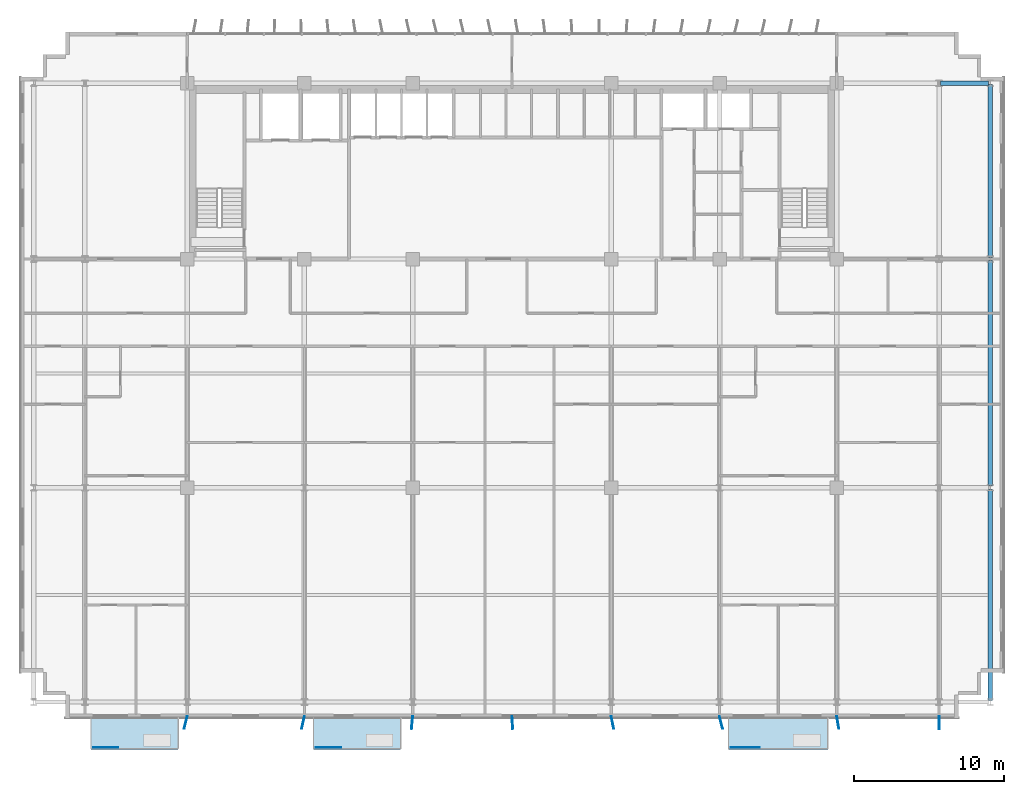
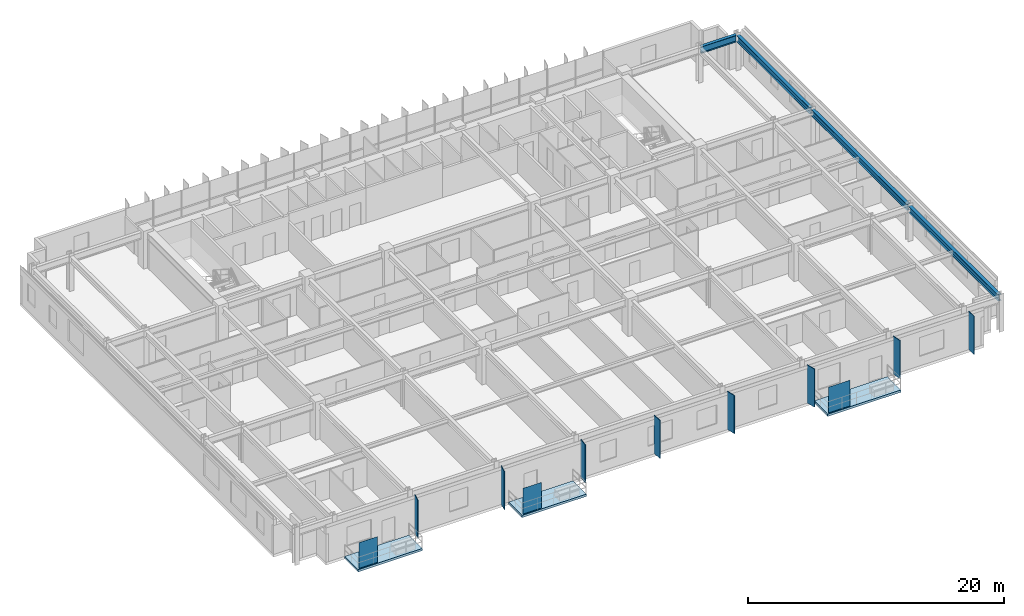
# One storey, part 13 of 22: 11 plates, 4 beams, 3 slabs.
"""IFC4 building model written with IfcOpenShell, lengths in metres."""

from ifc_helpers import new_model, si_unit, direction, frame, origin, origin_2d, place, context, subcontext, project, spatial, polyline, rectangle, i_section, outline, extrude, source, transform, mapped, material, layer, layer_set, material_profile, profile_set, type_object, element, save


model = new_model("IFC4")

# Units and contexts
model_context = context("Model", 3, precision=1e-05, world=origin(), true_north=direction((0.0, 1.0)))
body_context = subcontext(model_context, "Body", "Model", "MODEL_VIEW")
ifc_project = project(units=[si_unit("LENGTHUNIT", "METRE"), si_unit("AREAUNIT", "SQUARE_METRE"), si_unit("VOLUMEUNIT", "CUBIC_METRE"), si_unit("PLANEANGLEUNIT", "RADIAN"), si_unit("MASSUNIT", "GRAM", prefix="KILO")], contexts=[model_context])

# Site, building, storey
site_placement = place(None, origin())
site = spatial("IfcSite", under=ifc_project, at=site_placement, CompositionType="ELEMENT")
building_placement = place(site_placement, origin())
building = spatial("IfcBuilding", under=site, at=building_placement, Name="Trelvane Seafront Commons", CompositionType="ELEMENT")
storey_placement = place(building_placement, frame((0.0, 0.0, 59.5)))
storey = spatial("IfcBuildingStorey", under=building, at=storey_placement, Name="L15", CompositionType="ELEMENT", Elevation=59.5)

# Beams
ifc_material_1 = material(Name="Steel SM355 (S355)", Category="steel")
ifc_material_profile_1 = material_profile(ifc_material_1, i_section(OverallWidth=0.280029296875, OverallDepth=0.64990234375, WebThickness=0.012939453125, FlangeThickness=0.02197265625, at=origin_2d()), Name="H-650x280x13x22")
ifc_profile_set_1 = profile_set([ifc_material_profile_1], Name="Steel SM355 (S355)")
beam_type_1 = type_object("IfcBeamType", Name="STR-BM-H650", PredefinedType="BEAM", material=ifc_profile_set_1)
shared_shape_1 = source(origin(), body_context, "Body", "SweptSolid", [
    extrude(i_section(OverallWidth=0.280029296875, OverallDepth=0.64990234375, WebThickness=0.012939453125, FlangeThickness=0.02197265625, at=origin_2d()), origin(), (0.0, 0.0, 1.0), 3.18994140625),
])
beam_1_placement = place(storey_placement, frame((65.705078125, 45.10009765625, 3.014892578125), z_axis=(1.0, 0.0, 0.0), x_axis=(0.0, 1.0, 0.0)))
element("IfcBeam", 1, at=beam_1_placement, inside=storey, type_object=beam_type_1, Name="L15 Primary Girder G-36", PredefinedType="BEAM", context=body_context, shape_type="MappedRepresentation", body=[
    mapped(shared_shape_1, transform((0.0, 0.0, 0.0), x_axis=(1.0, 0.0, 0.0), y_axis=(0.0, 1.0, 0.0), z_axis=(0.0, 0.0, 1.0), scale=1.0)),
])
ifc_material_profile_2 = material_profile(ifc_material_1, i_section(OverallWidth=0.300048828125, OverallDepth=0.587890625, WebThickness=0.011962890625, FlangeThickness=0.02001953125, at=origin_2d()), Name="H-588x300x12x20")
ifc_profile_set_2 = profile_set([ifc_material_profile_2], Name="Steel SM355 (S355)")
beam_type_2 = type_object("IfcBeamType", Name="STR-BM-H588", PredefinedType="BEAM", material=ifc_profile_set_2)
shared_shape_2 = source(origin(), body_context, "Body", "SweptSolid", [
    extrude(i_section(OverallWidth=0.300048828125, OverallDepth=0.587890625, WebThickness=0.011962890625, FlangeThickness=0.02001953125, at=origin_2d()), origin(), (0.0, 0.0, 1.0), 14.0400390625),
])
beam_2_placement = place(storey_placement, frame((69.0, 4.054931640625, 3.0458984375), z_axis=(0.0, 1.0, 0.0), x_axis=(-1.0, 0.0, 0.0)))
element("IfcBeam", 2, at=beam_2_placement, inside=storey, type_object=beam_type_2, Name="L15 Primary Girder G-64", PredefinedType="BEAM", context=body_context, shape_type="MappedRepresentation", body=[
    mapped(shared_shape_2, transform((0.0, 0.0, 0.0), x_axis=(1.0, 0.0, 0.0), y_axis=(0.0, 1.0, 0.0), z_axis=(0.0, 0.0, 1.0), scale=1.0)),
])
shared_shape_3 = source(origin(), body_context, "Body", "SweptSolid", [
    extrude(i_section(OverallWidth=0.300048828125, OverallDepth=0.587890625, WebThickness=0.011962890625, FlangeThickness=0.02001953125, at=origin_2d()), origin(), (0.0, 0.0, 1.0), 14.989990234375),
])
beam_3_placement = place(storey_placement, frame((69.0, 18.304931640625, 3.0458984375), z_axis=(0.0, 1.0, 0.0), x_axis=(-1.0, 0.0, 0.0)))
element("IfcBeam", 3, at=beam_3_placement, inside=storey, type_object=beam_type_2, Name="L15 Primary Girder G-65", PredefinedType="BEAM", context=body_context, shape_type="MappedRepresentation", body=[
    mapped(shared_shape_3, transform((0.0, 0.0, 0.0), x_axis=(1.0, 0.0, 0.0), y_axis=(0.0, 1.0, 0.0), z_axis=(0.0, 0.0, 1.0), scale=1.0)),
])
shared_shape_4 = source(origin(), body_context, "Body", "SweptSolid", [
    extrude(i_section(OverallWidth=0.300048828125, OverallDepth=0.587890625, WebThickness=0.011962890625, FlangeThickness=0.02001953125, at=origin_2d()), origin(), (0.0, 0.0, 1.0), 11.490234375),
])
beam_4_placement = place(storey_placement, frame((69.0, 33.5048828125, 3.0458984375), z_axis=(0.0, 1.0, 0.0), x_axis=(-1.0, 0.0, 0.0)))
element("IfcBeam", 4, at=beam_4_placement, inside=storey, type_object=beam_type_2, Name="L15 Primary Girder G-66", PredefinedType="BEAM", context=body_context, shape_type="MappedRepresentation", body=[
    mapped(shared_shape_4, transform((0.0, 0.0, 0.0), x_axis=(1.0, 0.0, 0.0), y_axis=(0.0, 1.0, 0.0), z_axis=(0.0, 0.0, 1.0), scale=1.0)),
])

# Slabs
ifc_material_2 = material(Name="Concrete C40/50", Category="concrete")
ifc_layer_1 = layer(ifc_material_2, 0.219970703125, Name="ARCH-BALC-220")
ifc_layer_set_1 = layer_set([ifc_layer_1], Name="Concrete C40/50")
slab_type = type_object("IfcSlabType", Name="ARCH-BALC-220", PredefinedType="FLOOR", material=ifc_layer_set_1)
slab_1_placement = place(storey_placement, frame((0.0, 0.0, -0.219970703125)))
element("IfcSlab", 5, at=slab_1_placement, inside=storey, type_object=slab_type, Name="L15 Cantilevered Tree Balcony Loggia 1", PredefinedType="FLOOR", context=body_context, shape_type="SweptSolid", body=[
    extrude(outline(polyline([(9.199951171875, 0.800048828125), (15.0, 0.800048828125), (15.0, 2.89990234375), (9.199951171875, 2.89990234375), (9.199951171875, 0.800048828125)])), origin(), (0.0, 0.0, 1.0), 0.219970703125),
])
slab_2_placement = place(storey_placement, frame((0.0, 0.0, -0.219970703125)))
element("IfcSlab", 6, at=slab_2_placement, inside=storey, type_object=slab_type, Name="L15 Cantilevered Tree Balcony Loggia 2", PredefinedType="FLOOR", context=body_context, shape_type="SweptSolid", body=[
    extrude(outline(polyline([(24.0, 0.800048828125), (29.800048828125, 0.800048828125), (29.800048828125, 2.89990234375), (24.0, 2.89990234375), (24.0, 0.800048828125)])), origin(), (0.0, 0.0, 1.0), 0.219970703125),
])
slab_3_placement = place(storey_placement, frame((0.0, 0.0, -0.219970703125)))
element("IfcSlab", 7, at=slab_3_placement, inside=storey, type_object=slab_type, Name="L15 Cantilevered Tree Balcony Loggia 3", PredefinedType="FLOOR", context=body_context, shape_type="SweptSolid", body=[
    extrude(outline(polyline([(51.60009765625, 0.800048828125), (58.199951171875, 0.800048828125), (58.199951171875, 2.89990234375), (51.60009765625, 2.89990234375), (51.60009765625, 0.800048828125)])), origin(), (0.0, 0.0, 1.0), 0.219970703125),
])

# Plates
ifc_material_3 = material(Name="Perforated anodised aluminium screen", Category="aluminium")
ifc_layer_2 = layer(ifc_material_3, 0.01611328125, Name="ARCH-PLATE-SCREEN")
ifc_layer_set_2 = layer_set([ifc_layer_2], Name="Perforated anodised aluminium screen")
plate_type_1 = type_object("IfcPlateType", Name="ARCH-PLATE-SCREEN", PredefinedType="USERDEFINED", material=ifc_layer_set_2)
shared_shape_5 = source(origin(), body_context, "Body", "SweptSolid", [
    extrude(rectangle(XDim=1.9140625, YDim=0.01611328125, at=origin_2d()), origin(), (0.0, 0.0, 1.0), 2.449951171875),
])
plate_placement = place(storey_placement, frame((52.70703125, 0.919921875, 0.0), z_axis=(0.0, 0.0, 1.0), x_axis=(1.0, 0.0, 0.0)))
element("IfcPlate", 8, at=plate_placement, inside=storey, type_object=plate_type_1, Name="SCR-L15-00057", ObjectType="SCREEN", PredefinedType="USERDEFINED", context=body_context, shape_type="MappedRepresentation", body=[
    mapped(shared_shape_5, transform((0.0, 0.0, 0.0), x_axis=(1.0, 0.0, 0.0), y_axis=(0.0, 1.0, 0.0), z_axis=(0.0, 0.0, 1.0), scale=1.0)),
])
shared_shape_6 = source(origin(), body_context, "Body", "SweptSolid", [
    extrude(rectangle(XDim=1.681884765625, YDim=0.01611328125, at=origin_2d()), origin(), (0.0, 0.0, 1.0), 2.449951171875),
])
for number, where, z_axis, x_axis, name in (
    (9, (10.19091796875, 0.919921875, 0.0), (0.0, 0.0, 1.0), (1.0, 0.0, 0.0), "SCR-L15-00055"),
    (10, (24.990966796875, 0.919921875, 0.0), (0.0, 0.0, 1.0), (1.0, 0.0, 0.0), "SCR-L15-00056"),
):
    element("IfcPlate", number, at=place(storey_placement, frame(where, z_axis=z_axis, x_axis=x_axis)), inside=storey, type_object=plate_type_1, Name=name, ObjectType="SCREEN", PredefinedType="USERDEFINED", context=body_context, shape_type="MappedRepresentation", body=[
        mapped(shared_shape_6, transform((0.0, 0.0, 0.0), x_axis=(1.0, 0.0, 0.0), y_axis=(0.0, 1.0, 0.0), z_axis=(0.0, 0.0, 1.0), scale=1.0)),
    ])
ifc_material_4 = material(Name="Anodised pale-silver aluminium", Category="aluminium")
ifc_layer_3 = layer(ifc_material_4, 0.06005859375, Name="ARCH-PLATE-FIN900")
ifc_layer_set_3 = layer_set([ifc_layer_3], Name="Anodised pale-silver aluminium")
plate_type_2 = type_object("IfcPlateType", Name="ARCH-PLATE-FIN900", PredefinedType="USERDEFINED", material=ifc_layer_set_3)
shared_shape_7 = source(origin(), body_context, "Body", "SweptSolid", [
    extrude(rectangle(XDim=0.85009765625, YDim=0.06005859375, at=origin_2d()), origin(), (0.0, 0.0, 1.0), 3.639892578125),
])
for number, where, z_axis, x_axis, name in (
    (11, (15.5, 2.5869140625, -0.02001953125), (0.0, 0.0, 1.0), (-0.235053899752, -0.971982337397, 0.0), "FIN-S-L15-00351"),
    (12, (23.3076171875, 2.585205078125, -0.02001953125), (0.0, 0.0, 1.0), (-0.21740394839, -0.976081719542, 0.0), "FIN-S-L15-00352"),
    (13, (30.55859375, 2.576904296875, -0.02001953125), (0.0, 0.0, 1.0), (-0.097768757002, -0.995209158998, 0.0), "FIN-S-L15-00353"),
    (14, (37.2294921875, 2.575927734375, -0.02001953125), (0.0, 0.0, 1.0), (0.069289857302, -0.997596569599, 0.0), "FIN-S-L15-00354"),
    (15, (43.885986328125, 2.583740234375, -0.02001953125), (0.0, 0.0, 1.0), (0.202582202965, -0.979265260817, 0.0), "FIN-S-L15-00355"),
    (16, (51.102294921875, 2.58740234375, -0.02001953125), (0.0, 0.0, 1.0), (0.240348330243, -0.970686705456, 0.0), "FIN-S-L15-00356"),
    (17, (58.870849609375, 2.5810546875, -0.02001953125), (0.0, 0.0, 1.0), (0.16647790944, -0.986045184395, 0.0), "FIN-S-L15-00357"),
    (18, (65.605712890625, 2.5751953125, -0.02001953125), (0.0, 0.0, 1.0), (0.013176854508, -0.999913181484, 0.0), "FIN-S-L15-00358"),
):
    element("IfcPlate", number, at=place(storey_placement, frame(where, z_axis=z_axis, x_axis=x_axis)), inside=storey, type_object=plate_type_2, Name=name, ObjectType="FIN", PredefinedType="USERDEFINED", context=body_context, shape_type="MappedRepresentation", body=[
        mapped(shared_shape_7, transform((0.0, 0.0, 0.0), x_axis=(1.0, 0.0, 0.0), y_axis=(0.0, 1.0, 0.0), z_axis=(0.0, 0.0, 1.0), scale=1.0)),
    ])

save(model, "model.ifc")
